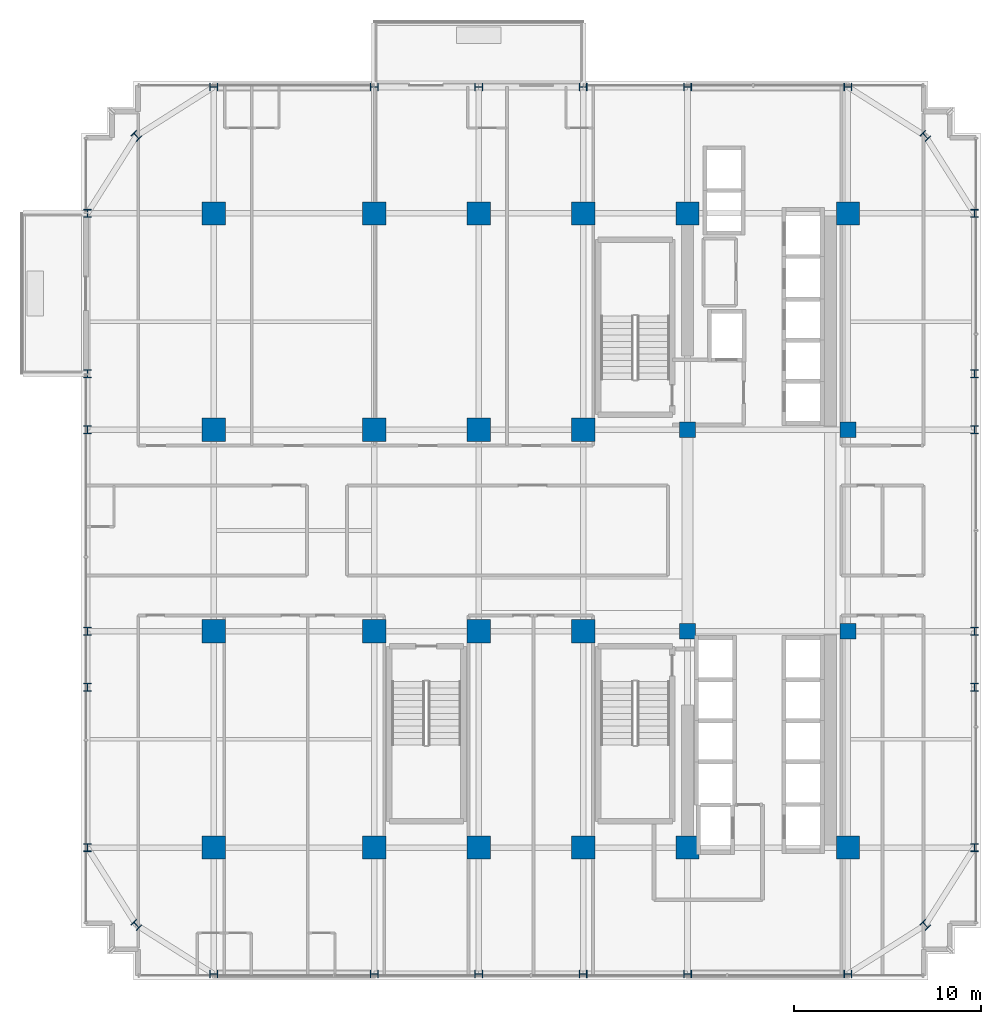
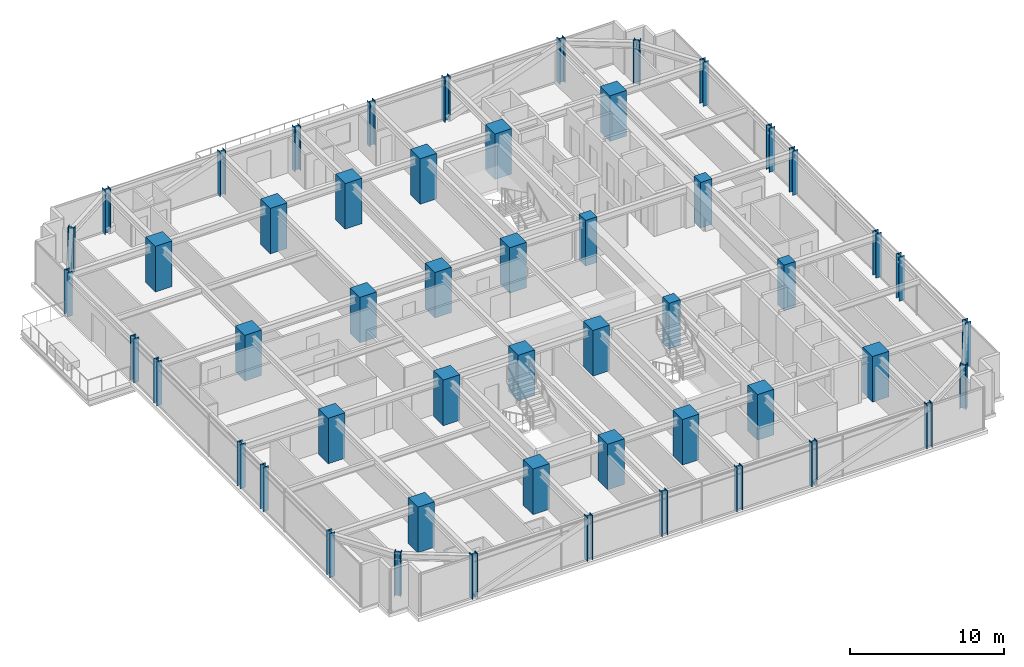
# One storey, part 1 of 39: 52 columns.
"""IFC4 building model written with IfcOpenShell, lengths in metres."""

from ifc_helpers import new_model, si_unit, direction, frame, origin, origin_2d, place, context, subcontext, project, spatial, rectangle, i_section, extrude, source, transform, mapped, material, material_profile, profile_set, type_object, element, save


model = new_model("IFC4")

# Units and contexts
model_context = context("Model", 3, precision=1e-05, world=origin(), true_north=direction((0.0, 1.0)))
body_context = subcontext(model_context, "Body", "Model", "MODEL_VIEW")
ifc_project = project(units=[si_unit("LENGTHUNIT", "METRE"), si_unit("AREAUNIT", "SQUARE_METRE"), si_unit("VOLUMEUNIT", "CUBIC_METRE"), si_unit("PLANEANGLEUNIT", "RADIAN"), si_unit("MASSUNIT", "GRAM", prefix="KILO")], contexts=[model_context])

# Site, building, storey
site_placement = place(None, origin())
site = spatial("IfcSite", under=ifc_project, at=site_placement, CompositionType="ELEMENT")
building_placement = place(site_placement, origin())
building = spatial("IfcBuilding", under=site, at=building_placement, Name="Nahalor Promenade Grand Hotel", CompositionType="ELEMENT")
storey_placement = place(building_placement, frame((0.0, 0.0, 135.75)))
storey = spatial("IfcBuildingStorey", under=building, at=storey_placement, Name="L34", CompositionType="ELEMENT", Elevation=135.75)

# Columns
ifc_material_1 = material(Name="Concrete B-70 (C60/75)", Category="concrete")
ifc_material_profile_1 = material_profile(ifc_material_1, rectangle(XDim=0.85, YDim=0.85, at=origin_2d()), Name="RC 850x850")
ifc_profile_set_1 = profile_set([ifc_material_profile_1], Name="Concrete B-70 (C60/75)")
column_type_1 = type_object("IfcColumnType", Name="Col-Pilaster-850", PredefinedType="PILASTER", material=ifc_profile_set_1)
shared_shape_1 = source(origin(), body_context, "Body", "SweptSolid", [
    extrude(rectangle(XDim=0.85, YDim=0.85, at=origin_2d()), origin(), (0.0, 0.0, 1.0), 3.60498046875),
])
for number, where, z_axis, x_axis, name in (
    (1, (8.39990234375, -5.39990234375, 0.0), (0.0, 0.0, 1.0), (1.0, 0.0, 0.0), "COL-L34-I41"),
    (2, (8.39990234375, 5.39990234375, 0.0), (0.0, 0.0, 1.0), (1.0, 0.0, 0.0), "COL-L34-I42"),
    (3, (17.0, -5.39990234375, 0.0), (0.0, 0.0, 1.0), (1.0, 0.0, 0.0), "COL-L34-I51"),
    (4, (17.0, 5.39990234375, 0.0), (0.0, 0.0, 1.0), (1.0, 0.0, 0.0), "COL-L34-I52"),
):
    element("IfcColumn", number, at=place(storey_placement, frame(where, z_axis=z_axis, x_axis=x_axis)), inside=storey, type_object=column_type_1, Name=name, PredefinedType="PILASTER", context=body_context, shape_type="MappedRepresentation", body=[
        mapped(shared_shape_1, transform((0.0, 0.0, 0.0), scale=1.0)),
    ])
ifc_material_2 = material(Name="Concrete B-60 (C50/60)", Category="concrete")
ifc_material_profile_2 = material_profile(ifc_material_2, rectangle(XDim=1.25, YDim=1.25, at=origin_2d()), Name="RC 1250x1250")
ifc_profile_set_2 = profile_set([ifc_material_profile_2], Name="Concrete B-60 (C50/60)")
column_type_2 = type_object("IfcColumnType", Name="Col-RC-1250", PredefinedType="COLUMN", material=ifc_profile_set_2)
shared_shape_2 = source(origin(), body_context, "Body", "SweptSolid", [
    extrude(rectangle(XDim=1.25, YDim=1.25, at=origin_2d()), origin(), (0.0, 0.0, 1.0), 3.60498046875),
])
for number, where, z_axis, x_axis, name in (
    (5, (-17.0, -17.0, 0.0), (0.0, 0.0, 1.0), (1.0, 0.0, 0.0), "COL-L34-I00"),
    (6, (-17.0, -5.39990234375, 0.0), (0.0, 0.0, 1.0), (1.0, 0.0, 0.0), "COL-L34-I01"),
    (7, (-17.0, 5.39990234375, 0.0), (0.0, 0.0, 1.0), (1.0, 0.0, 0.0), "COL-L34-I02"),
    (8, (-17.0, 17.0, 0.0), (0.0, 0.0, 1.0), (1.0, 0.0, 0.0), "COL-L34-I03"),
    (9, (-8.39990234375, -17.0, 0.0), (0.0, 0.0, 1.0), (1.0, 0.0, 0.0), "COL-L34-I10"),
    (10, (-8.39990234375, -5.39990234375, 0.0), (0.0, 0.0, 1.0), (1.0, 0.0, 0.0), "COL-L34-I11"),
    (11, (-8.39990234375, 5.39990234375, 0.0), (0.0, 0.0, 1.0), (1.0, 0.0, 0.0), "COL-L34-I12"),
    (12, (-8.39990234375, 17.0, 0.0), (0.0, 0.0, 1.0), (1.0, 0.0, 0.0), "COL-L34-I13"),
    (13, (-2.800048828125, -17.0, 0.0), (0.0, 0.0, 1.0), (1.0, 0.0, 0.0), "COL-L34-I20"),
    (14, (-2.800048828125, -5.39990234375, 0.0), (0.0, 0.0, 1.0), (1.0, 0.0, 0.0), "COL-L34-I21"),
    (15, (-2.800048828125, 5.39990234375, 0.0), (0.0, 0.0, 1.0), (1.0, 0.0, 0.0), "COL-L34-I22"),
    (16, (-2.800048828125, 17.0, 0.0), (0.0, 0.0, 1.0), (1.0, 0.0, 0.0), "COL-L34-I23"),
    (17, (2.800048828125, -17.0, 0.0), (0.0, 0.0, 1.0), (1.0, 0.0, 0.0), "COL-L34-I30"),
    (18, (2.800048828125, -5.39990234375, 0.0), (0.0, 0.0, 1.0), (1.0, 0.0, 0.0), "COL-L34-I31"),
    (19, (2.800048828125, 5.39990234375, 0.0), (0.0, 0.0, 1.0), (1.0, 0.0, 0.0), "COL-L34-I32"),
    (20, (2.800048828125, 17.0, 0.0), (0.0, 0.0, 1.0), (1.0, 0.0, 0.0), "COL-L34-I33"),
    (21, (8.39990234375, -17.0, 0.0), (0.0, 0.0, 1.0), (1.0, 0.0, 0.0), "COL-L34-I40"),
    (22, (8.39990234375, 17.0, 0.0), (0.0, 0.0, 1.0), (1.0, 0.0, 0.0), "COL-L34-I43"),
    (23, (17.0, -17.0, 0.0), (0.0, 0.0, 1.0), (1.0, 0.0, 0.0), "COL-L34-I50"),
    (24, (17.0, 17.0, 0.0), (0.0, 0.0, 1.0), (1.0, 0.0, 0.0), "COL-L34-I53"),
):
    element("IfcColumn", number, at=place(storey_placement, frame(where, z_axis=z_axis, x_axis=x_axis)), inside=storey, type_object=column_type_2, Name=name, PredefinedType="COLUMN", context=body_context, shape_type="MappedRepresentation", body=[
        mapped(shared_shape_2, transform((0.0, 0.0, 0.0), scale=1.0)),
    ])
ifc_material_3 = material(Name="Steel S355J2", Category="steel")
ifc_material_profile_3 = material_profile(ifc_material_3, i_section(OverallWidth=0.409, OverallDepth=0.43, WebThickness=0.0208, FlangeThickness=0.0335, at=origin_2d()), Name="HD 400x421")
ifc_profile_set_3 = profile_set([ifc_material_profile_3], Name="Steel S355J2")
column_type_3 = type_object("IfcColumnType", Name="Col-Steel-HD421", PredefinedType="COLUMN", material=ifc_profile_set_3)
shared_shape_3 = source(origin(), body_context, "Body", "SweptSolid", [
    extrude(i_section(OverallWidth=0.409, OverallDepth=0.43, WebThickness=0.0208, FlangeThickness=0.0335, at=origin_2d()), origin(), (0.0, 0.0, 1.0), 3.5048828125),
])
for number, where, z_axis, x_axis, name in (
    (25, (-23.780029296875, -17.0, 0.0), (0.0, 0.0, 1.0), (1.0, 0.0, 0.0), "COL-L34-PW-W0"),
    (26, (23.780029296875, -17.0, 0.0), (0.0, 0.0, 1.0), (1.0, 0.0, 0.0), "COL-L34-PW-E0"),
    (27, (-23.780029296875, -8.39990234375, 0.0), (0.0, 0.0, 1.0), (1.0, 0.0, 0.0), "COL-L34-PW-W1"),
    (28, (23.780029296875, -8.39990234375, 0.0), (0.0, 0.0, 1.0), (1.0, 0.0, 0.0), "COL-L34-PW-E1"),
    (29, (-23.780029296875, -5.39990234375, 0.0), (0.0, 0.0, 1.0), (1.0, 0.0, 0.0), "COL-L34-PW-W2"),
    (30, (23.780029296875, -5.39990234375, 0.0), (0.0, 0.0, 1.0), (1.0, 0.0, 0.0), "COL-L34-PW-E2"),
    (31, (-23.780029296875, 5.39990234375, 0.0), (0.0, 0.0, 1.0), (1.0, 0.0, 0.0), "COL-L34-PW-W3"),
    (32, (23.780029296875, 5.39990234375, 0.0), (0.0, 0.0, 1.0), (1.0, 0.0, 0.0), "COL-L34-PW-E3"),
    (33, (-23.780029296875, 8.39990234375, 0.0), (0.0, 0.0, 1.0), (1.0, 0.0, 0.0), "COL-L34-PW-W4"),
    (34, (23.780029296875, 8.39990234375, 0.0), (0.0, 0.0, 1.0), (1.0, 0.0, 0.0), "COL-L34-PW-E4"),
    (35, (-23.780029296875, 17.0, 0.0), (0.0, 0.0, 1.0), (1.0, 0.0, 0.0), "COL-L34-PW-W5"),
    (36, (23.780029296875, 17.0, 0.0), (0.0, 0.0, 1.0), (1.0, 0.0, 0.0), "COL-L34-PW-E5"),
    (37, (-17.0, -23.780029296875, 0.0), (0.0, 0.0, 1.0), (0.0, 1.0, 0.0), "COL-L34-PN-S0"),
    (38, (-17.0, 23.780029296875, 0.0), (0.0, 0.0, 1.0), (0.0, 1.0, 0.0), "COL-L34-PN-N0"),
    (39, (-8.39990234375, -23.780029296875, 0.0), (0.0, 0.0, 1.0), (0.0, 1.0, 0.0), "COL-L34-PN-S1"),
    (40, (-8.39990234375, 23.780029296875, 0.0), (0.0, 0.0, 1.0), (0.0, 1.0, 0.0), "COL-L34-PN-N1"),
    (41, (-2.800048828125, -23.780029296875, 0.0), (0.0, 0.0, 1.0), (0.0, 1.0, 0.0), "COL-L34-PN-S2"),
    (42, (-2.800048828125, 23.780029296875, 0.0), (0.0, 0.0, 1.0), (0.0, 1.0, 0.0), "COL-L34-PN-N2"),
    (43, (2.800048828125, -23.780029296875, 0.0), (0.0, 0.0, 1.0), (0.0, 1.0, 0.0), "COL-L34-PN-S3"),
    (44, (2.800048828125, 23.780029296875, 0.0), (0.0, 0.0, 1.0), (0.0, 1.0, 0.0), "COL-L34-PN-N3"),
    (45, (8.39990234375, -23.780029296875, 0.0), (0.0, 0.0, 1.0), (0.0, 1.0, 0.0), "COL-L34-PN-S4"),
    (46, (8.39990234375, 23.780029296875, 0.0), (0.0, 0.0, 1.0), (0.0, 1.0, 0.0), "COL-L34-PN-N4"),
    (47, (17.0, -23.780029296875, 0.0), (0.0, 0.0, 1.0), (0.0, 1.0, 0.0), "COL-L34-PN-S5"),
    (48, (17.0, 23.780029296875, 0.0), (0.0, 0.0, 1.0), (0.0, 1.0, 0.0), "COL-L34-PN-N5"),
    (49, (-21.14990234375, -21.14990234375, 0.0), (0.0, 0.0, 1.0), (0.707106781187, 0.707106781187, 0.0), "COL-L34-CRN-SW"),
    (50, (-21.14990234375, 21.14990234375, 0.0), (0.0, 0.0, 1.0), (0.707106781187, 0.707106781187, 0.0), "COL-L34-CRN-NW"),
    (51, (21.14990234375, -21.14990234375, 0.0), (0.0, 0.0, 1.0), (0.707106781187, 0.707106781187, 0.0), "COL-L34-CRN-SE"),
    (52, (21.14990234375, 21.14990234375, 0.0), (0.0, 0.0, 1.0), (0.707106781187, 0.707106781187, 0.0), "COL-L34-CRN-NE"),
):
    element("IfcColumn", number, at=place(storey_placement, frame(where, z_axis=z_axis, x_axis=x_axis)), inside=storey, type_object=column_type_3, Name=name, PredefinedType="COLUMN", context=body_context, shape_type="MappedRepresentation", body=[
        mapped(shared_shape_3, transform((0.0, 0.0, 0.0), scale=1.0)),
    ])

save(model, "model.ifc")
